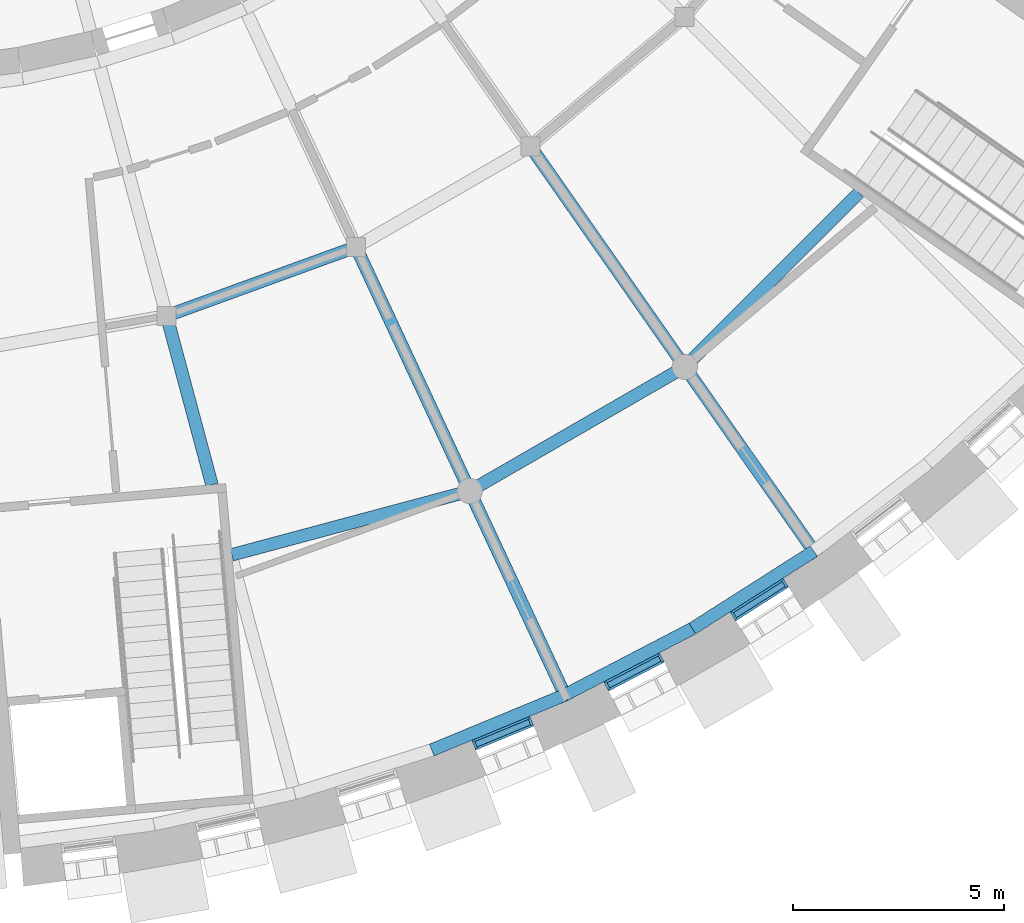
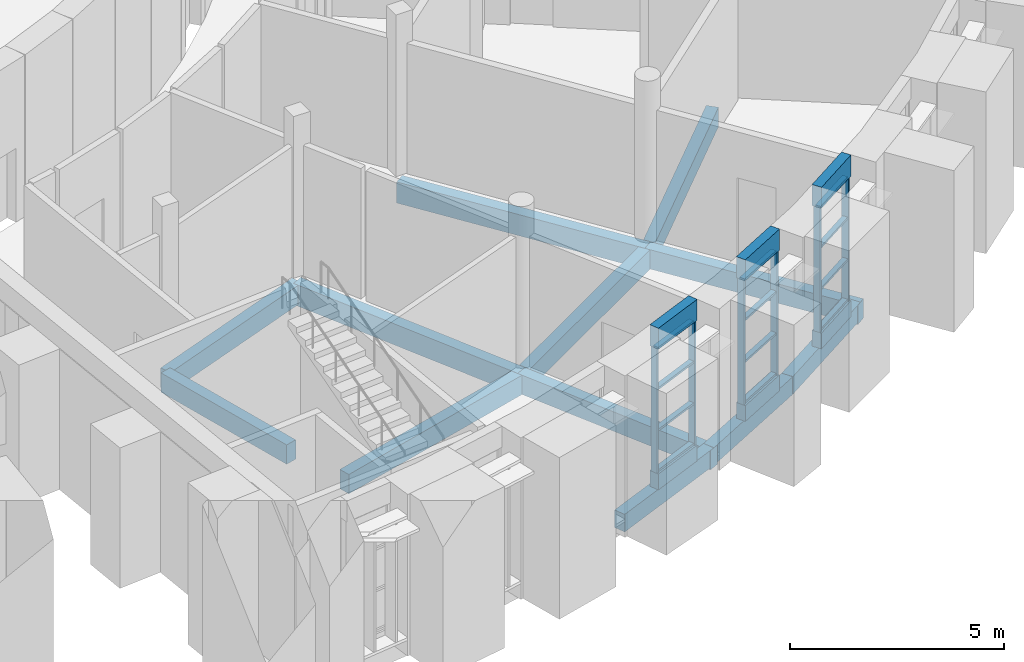
# One storey, part 6 of 66: 18 beams, 18 members, 3 elements without a shape of their own.
"""IFC4 building model written with IfcOpenShell, lengths in metres."""

from ifc_helpers import new_model, si_unit, direction, frame, origin, origin_2d, place, context, subcontext, project, spatial, rectangle, extrude, material, layer, layer_set, material_profile, profile_set, type_object, element, aggregate, save


model = new_model("IFC4")

# Units and contexts
model_context = context("Model", 3, precision=1e-05, world=origin(), true_north=direction((0.0, 1.0)))
body_context = subcontext(model_context, "Body", "Model", "MODEL_VIEW")
ifc_project = project(units=[si_unit("LENGTHUNIT", "METRE"), si_unit("AREAUNIT", "SQUARE_METRE"), si_unit("VOLUMEUNIT", "CUBIC_METRE"), si_unit("PLANEANGLEUNIT", "RADIAN"), si_unit("MASSUNIT", "GRAM", prefix="KILO")], contexts=[model_context])

# Site, building, storey
site_placement = place(None, origin())
site = spatial("IfcSite", under=ifc_project, at=site_placement, CompositionType="ELEMENT")
building_placement = place(site_placement, origin())
building = spatial("IfcBuilding", under=site, at=building_placement, Name="Volute Hill Aquarium", CompositionType="ELEMENT")
storey_placement = place(building_placement, frame((0.0, 0.0, 4.60009765625)))
storey = spatial("IfcBuildingStorey", under=building, at=storey_placement, Name="L02", CompositionType="ELEMENT", Elevation=4.60009765625)

# Beams
ifc_material_1 = material(Name="Concrete C35/45", Category="concrete")
ifc_material_profile_1 = material_profile(ifc_material_1, rectangle(XDim=0.300048828125, YDim=0.550048828125, at=origin_2d()), Name="RC beam 300x550")
ifc_profile_set_1 = profile_set([ifc_material_profile_1], Name="Concrete C35/45")
beam_type_1 = type_object("IfcBeamType", Name="Beam 300x550 C35/45", PredefinedType="BEAM", material=ifc_profile_set_1)
beam_1_placement = place(storey_placement, frame((7.08740234375, -26.4501953125, -0.545166015625), z_axis=(0.258824393831, -0.965924393086, 0.0), x_axis=(0.965924393086, 0.258824393831, 0.0)))
element("IfcBeam", 1, at=beam_1_placement, inside=storey, type_object=beam_type_1, Name="bm/S3/L02/rad1.2", PredefinedType="BEAM", context=body_context, shape_type="SweptSolid", body=[
    extrude(rectangle(XDim=0.300048828125, YDim=0.550048828125, at=origin_2d()), origin(), (0.0, 0.0, 1.0), 4.145751953125),
])
for number, where, z_axis, x_axis, name in (
    (2, (14.2705078125, -30.60302734375, -0.545166015625), (0.422629512047, -0.906302540847, 0.0), (0.906302540847, 0.422629512047, 0.0), "bm/S3/L02/rad2.6"),
    (3, (19.367919921875, -27.66015625, -0.545166015625), (0.573584859356, -0.819146146373, 0.0), (0.819146146373, 0.573584859356, 0.0), "bm/S3/L02/rad3.9"),
):
    element("IfcBeam", number, at=place(storey_placement, frame(where, z_axis=z_axis, x_axis=x_axis)), inside=storey, type_object=beam_type_1, Name=name, PredefinedType="BEAM", context=body_context, shape_type="SweptSolid", body=[
        extrude(rectangle(XDim=0.300048828125, YDim=0.550048828125, at=origin_2d()), origin(), (0.0, 0.0, 1.0), 5.483154296875),
    ])
beam_2_placement = place(storey_placement, frame((7.08740234375, -26.4501953125, -0.545166015625), z_axis=(0.93969033816, 0.342026414722, 0.0), x_axis=(-0.342026414722, 0.93969033816, 0.0)))
element("IfcBeam", 4, at=beam_2_placement, inside=storey, type_object=beam_type_1, Name="bm/S3/L02/ring1.14", PredefinedType="BEAM", context=body_context, shape_type="SweptSolid", body=[
    extrude(rectangle(XDim=0.300048828125, YDim=0.550048828125, at=origin_2d()), origin(), (0.0, 0.0, 1.0), 4.773193359375),
])
beam_3_placement = place(storey_placement, frame((8.631591796875, -32.114013671875, -0.545166015625), z_axis=(0.965923970462, 0.258825971043, 0.0), x_axis=(-0.258825971043, 0.965923970462, 0.0)))
element("IfcBeam", 5, at=beam_3_placement, inside=storey, type_object=beam_type_1, Name="bm/S3/L02/ring2.18", PredefinedType="BEAM", context=body_context, shape_type="SweptSolid", body=[
    extrude(rectangle(XDim=0.300048828125, YDim=0.550048828125, at=origin_2d()), origin(), (0.0, 0.0, 1.0), 5.837890625),
])
beam_4_placement = place(storey_placement, frame((14.2705078125, -30.60302734375, -0.545166015625), z_axis=(0.866034317068, 0.499984561422, 0.0), x_axis=(-0.499984561422, 0.866034317068, 0.0)))
element("IfcBeam", 6, at=beam_4_placement, inside=storey, type_object=beam_type_1, Name="bm/S3/L02/ring2.19", PredefinedType="BEAM", context=body_context, shape_type="SweptSolid", body=[
    extrude(rectangle(XDim=0.300048828125, YDim=0.550048828125, at=origin_2d()), origin(), (0.0, 0.0, 1.0), 5.885986328125),
])
beam_5_placement = place(storey_placement, frame((19.367919921875, -27.66015625, -0.545166015625), z_axis=(0.707085869838, 0.707127691916, 0.0), x_axis=(-0.707127691916, 0.707085869838, 0.0)))
element("IfcBeam", 7, at=beam_5_placement, inside=storey, type_object=beam_type_1, Name="bm/S3/L02/ring2.20", PredefinedType="BEAM", context=body_context, shape_type="SweptSolid", body=[
    extrude(rectangle(XDim=0.300048828125, YDim=0.550048828125, at=origin_2d()), origin(), (0.0, 0.0, 1.0), 5.837646484375),
])
ifc_material_2 = material(Name="Concrete C35/45", Category="concrete")
ifc_material_profile_2 = material_profile(ifc_material_2, rectangle(XDim=0.300048828125, YDim=0.60009765625, at=origin_2d()), Name="RC beam 300x600")
ifc_profile_set_2 = profile_set([ifc_material_profile_2], Name="Concrete C35/45")
beam_type_2 = type_object("IfcBeamType", Name="Beam 300x600 C35/45", PredefinedType="BEAM", material=ifc_profile_set_2)
for number, where, z_axis, x_axis, name in (
    (8, (11.57275390625, -24.817626953125, -0.570068359375), (0.422615353503, -0.906309143164, 0.0), (0.906309143164, 0.422615353503, 0.0), "bm/S3/L02/rad2.5"),
    (9, (15.706298828125, -22.43115234375, -0.570068359375), (0.573600942784, -0.819134884154, 0.0), (0.819134884154, 0.573600942784, 0.0), "bm/S3/L02/rad3.8"),
):
    element("IfcBeam", number, at=place(storey_placement, frame(where, z_axis=z_axis, x_axis=x_axis)), inside=storey, type_object=beam_type_2, Name=name, PredefinedType="BEAM", context=body_context, shape_type="SweptSolid", body=[
        extrude(rectangle(XDim=0.300048828125, YDim=0.60009765625, at=origin_2d()), origin(), (0.0, 0.0, 1.0), 6.383544921875),
    ])

# Curtain wall, members
ifc_material_3 = material(Name="Aluminium", Category="aluminium")
ifc_layer = layer(ifc_material_3, 0.25)
ifc_layer_set = layer_set([ifc_layer], Name="Curtain wall niche S3 module 1489")
curtain_wall_type = type_object("IfcCurtainWallType", Name="Curtain wall niche S3 module 1489", PredefinedType="NOTDEFINED", material=ifc_layer_set)
curtain_wall_1_placement = place(storey_placement, origin())
curtain_wall_1 = element("IfcCurtainWall", 10, at=curtain_wall_1_placement, inside=storey, type_object=curtain_wall_type, Name="Curtain wall CW S3 L02 4", PredefinedType="NOTDEFINED")
ifc_material_4 = material(Name="Aluminium", Category="aluminium")
ifc_material_profile_3 = material_profile(ifc_material_4, rectangle(XDim=0.179931640625, YDim=0.06005859375, at=origin_2d()), Name="Curtain wall mullion S3 60x180")
ifc_profile_set_3 = profile_set([ifc_material_profile_3], Name="Aluminium")
member_type_1 = type_object("IfcMemberType", Name="Curtain wall mullion S3 60x180", PredefinedType="MULLION", material=ifc_profile_set_3)
member_1_placement = place(storey_placement, frame((14.3935546875, -36.6162109375, 0.449951171875), z_axis=(0.0, 0.0, 1.0), x_axis=(-0.382692594649, 0.923875737316, 0.0)))
member_1 = element("IfcMember", 11, at=member_1_placement, type_object=member_type_1, Name="CW mullion 1", PredefinedType="MULLION", context=body_context, shape_type="SweptSolid", body=[
    extrude(rectangle(XDim=0.179931640625, YDim=0.06005859375, at=origin_2d()), origin(), (0.0, 0.0, 1.0), 3.550048828125),
])
member_2_placement = place(storey_placement, frame((15.7138671875, -36.0693359375, 0.449951171875), z_axis=(0.0, 0.0, 1.0), x_axis=(-0.382692594649, 0.923875737316, 0.0)))
member_2 = element("IfcMember", 12, at=member_2_placement, type_object=member_type_1, Name="CW mullion 2", PredefinedType="MULLION", context=body_context, shape_type="SweptSolid", body=[
    extrude(rectangle(XDim=0.179931640625, YDim=0.06005859375, at=origin_2d()), origin(), (0.0, 0.0, 1.0), 3.550048828125),
])

curtain_wall_2_placement = place(storey_placement, origin())
curtain_wall_2 = element("IfcCurtainWall", 13, at=curtain_wall_2_placement, inside=storey, type_object=curtain_wall_type, Name="Curtain wall CW S3 L02 5", PredefinedType="NOTDEFINED")
member_3_placement = place(storey_placement, frame((17.530029296875, -35.222412109375, 0.449951171875), z_axis=(0.0, 0.0, 1.0), x_axis=(-0.461744254001, 0.887013102438, 0.0)))
member_3 = element("IfcMember", 14, at=member_3_placement, type_object=member_type_1, Name="CW mullion 1", PredefinedType="MULLION", context=body_context, shape_type="SweptSolid", body=[
    extrude(rectangle(XDim=0.179931640625, YDim=0.06005859375, at=origin_2d()), origin(), (0.0, 0.0, 1.0), 3.550048828125),
])
member_4_placement = place(storey_placement, frame((18.797607421875, -34.5625, 0.449951171875), z_axis=(0.0, 0.0, 1.0), x_axis=(-0.461744254001, 0.887013102438, 0.0)))
member_4 = element("IfcMember", 15, at=member_4_placement, type_object=member_type_1, Name="CW mullion 2", PredefinedType="MULLION", context=body_context, shape_type="SweptSolid", body=[
    extrude(rectangle(XDim=0.179931640625, YDim=0.06005859375, at=origin_2d()), origin(), (0.0, 0.0, 1.0), 3.550048828125),
])

curtain_wall_3_placement = place(storey_placement, origin())
curtain_wall_3 = element("IfcCurtainWall", 16, at=curtain_wall_3_placement, inside=storey, type_object=curtain_wall_type, Name="Curtain wall CW S3 L02 6", PredefinedType="NOTDEFINED")
member_5_placement = place(storey_placement, frame((20.533203125, -33.560546875, 0.449951171875), z_axis=(0.0, 0.0, 1.0), x_axis=(-0.53730730935, 0.843386539683, 0.0)))
member_5 = element("IfcMember", 17, at=member_5_placement, type_object=member_type_1, Name="CW mullion 1", PredefinedType="MULLION", context=body_context, shape_type="SweptSolid", body=[
    extrude(rectangle(XDim=0.179931640625, YDim=0.06005859375, at=origin_2d()), origin(), (0.0, 0.0, 1.0), 3.550048828125),
])
member_6_placement = place(storey_placement, frame((21.738525390625, -32.792724609375, 0.449951171875), z_axis=(0.0, 0.0, 1.0), x_axis=(-0.53730730935, 0.843386539683, 0.0)))
member_6 = element("IfcMember", 18, at=member_6_placement, type_object=member_type_1, Name="CW mullion 2", PredefinedType="MULLION", context=body_context, shape_type="SweptSolid", body=[
    extrude(rectangle(XDim=0.179931640625, YDim=0.06005859375, at=origin_2d()), origin(), (0.0, 0.0, 1.0), 3.550048828125),
])

# Member
ifc_material_5 = material(Name="Aluminium", Category="aluminium")
ifc_material_profile_4 = material_profile(ifc_material_5, rectangle(XDim=0.139892578125, YDim=0.06005859375, at=origin_2d()), Name="Curtain wall transom S3 60x140")
ifc_profile_set_4 = profile_set([ifc_material_profile_4], Name="Aluminium")
member_type_2 = type_object("IfcMemberType", Name="Curtain wall transom S3 60x140", PredefinedType="USERDEFINED", material=ifc_profile_set_4)
member_7_placement = place(storey_placement, frame((14.421142578125, -36.604736328125, 0.47998046875), z_axis=(0.923908190995, 0.382614237336, 0.0), x_axis=(-0.382614237336, 0.923908190995, 0.0)))
member_7 = element("IfcMember", 19, at=member_7_placement, type_object=member_type_2, Name="CW transom 1.1", ObjectType="TRANSOM", PredefinedType="USERDEFINED", context=body_context, shape_type="SweptSolid", body=[
    extrude(rectangle(XDim=0.139892578125, YDim=0.06005859375, at=origin_2d()), origin(), (0.0, 0.0, 1.0), 1.369384765625),
])

member_8_placement = place(storey_placement, frame((14.421142578125, -36.604736328125, 1.63330078125), z_axis=(0.923908190995, 0.382614237336, 0.0), x_axis=(-0.382614237336, 0.923908190995, 0.0)))
member_8 = element("IfcMember", 20, at=member_8_placement, type_object=member_type_2, Name="CW transom 1.2", ObjectType="TRANSOM", PredefinedType="USERDEFINED", context=body_context, shape_type="SweptSolid", body=[
    extrude(rectangle(XDim=0.139892578125, YDim=0.06005859375, at=origin_2d()), origin(), (0.0, 0.0, 1.0), 1.369384765625),
])

member_9_placement = place(storey_placement, frame((14.421142578125, -36.604736328125, 2.816650390625), z_axis=(0.923908190995, 0.382614237336, 0.0), x_axis=(-0.382614237336, 0.923908190995, 0.0)))
member_9 = element("IfcMember", 21, at=member_9_placement, type_object=member_type_2, Name="CW transom 1.3", ObjectType="TRANSOM", PredefinedType="USERDEFINED", context=body_context, shape_type="SweptSolid", body=[
    extrude(rectangle(XDim=0.139892578125, YDim=0.06005859375, at=origin_2d()), origin(), (0.0, 0.0, 1.0), 1.369384765625),
])

member_10_placement = place(storey_placement, frame((14.421142578125, -36.604736328125, 3.969970703125), z_axis=(0.923908190995, 0.382614237336, 0.0), x_axis=(-0.382614237336, 0.923908190995, 0.0)))
member_10 = element("IfcMember", 22, at=member_10_placement, type_object=member_type_2, Name="CW transom 1.4", ObjectType="TRANSOM", PredefinedType="USERDEFINED", context=body_context, shape_type="SweptSolid", body=[
    extrude(rectangle(XDim=0.139892578125, YDim=0.06005859375, at=origin_2d()), origin(), (0.0, 0.0, 1.0), 1.369384765625),
])

aggregate(curtain_wall_1, [member_1, member_2, member_7, member_8, member_9, member_10])

member_11_placement = place(storey_placement, frame((17.556640625, -35.208740234375, 0.47998046875), z_axis=(0.886959740266, 0.46184674855, 0.0), x_axis=(-0.46184674855, 0.886959740266, 0.0)))
member_11 = element("IfcMember", 23, at=member_11_placement, type_object=member_type_2, Name="CW transom 1.1", ObjectType="TRANSOM", PredefinedType="USERDEFINED", context=body_context, shape_type="SweptSolid", body=[
    extrude(rectangle(XDim=0.139892578125, YDim=0.06005859375, at=origin_2d()), origin(), (0.0, 0.0, 1.0), 1.369140625),
])

member_12_placement = place(storey_placement, frame((17.556640625, -35.208740234375, 1.63330078125), z_axis=(0.886959740266, 0.46184674855, 0.0), x_axis=(-0.46184674855, 0.886959740266, 0.0)))
member_12 = element("IfcMember", 24, at=member_12_placement, type_object=member_type_2, Name="CW transom 1.2", ObjectType="TRANSOM", PredefinedType="USERDEFINED", context=body_context, shape_type="SweptSolid", body=[
    extrude(rectangle(XDim=0.139892578125, YDim=0.06005859375, at=origin_2d()), origin(), (0.0, 0.0, 1.0), 1.369140625),
])

member_13_placement = place(storey_placement, frame((17.556640625, -35.208740234375, 2.816650390625), z_axis=(0.886959740266, 0.46184674855, 0.0), x_axis=(-0.46184674855, 0.886959740266, 0.0)))
member_13 = element("IfcMember", 25, at=member_13_placement, type_object=member_type_2, Name="CW transom 1.3", ObjectType="TRANSOM", PredefinedType="USERDEFINED", context=body_context, shape_type="SweptSolid", body=[
    extrude(rectangle(XDim=0.139892578125, YDim=0.06005859375, at=origin_2d()), origin(), (0.0, 0.0, 1.0), 1.369140625),
])

member_14_placement = place(storey_placement, frame((17.556640625, -35.208740234375, 3.969970703125), z_axis=(0.886959740266, 0.46184674855, 0.0), x_axis=(-0.46184674855, 0.886959740266, 0.0)))
member_14 = element("IfcMember", 26, at=member_14_placement, type_object=member_type_2, Name="CW transom 1.4", ObjectType="TRANSOM", PredefinedType="USERDEFINED", context=body_context, shape_type="SweptSolid", body=[
    extrude(rectangle(XDim=0.139892578125, YDim=0.06005859375, at=origin_2d()), origin(), (0.0, 0.0, 1.0), 1.369140625),
])

aggregate(curtain_wall_2, [member_3, member_4, member_11, member_12, member_13, member_14])

member_15_placement = place(storey_placement, frame((20.558349609375, -33.54443359375, 0.47998046875), z_axis=(0.843419106312, 0.537256187594, 0.0), x_axis=(-0.537256187594, 0.843419106312, 0.0)))
member_15 = element("IfcMember", 27, at=member_15_placement, type_object=member_type_2, Name="CW transom 1.1", ObjectType="TRANSOM", PredefinedType="USERDEFINED", context=body_context, shape_type="SweptSolid", body=[
    extrude(rectangle(XDim=0.139892578125, YDim=0.06005859375, at=origin_2d()), origin(), (0.0, 0.0, 1.0), 1.369140625),
])

member_16_placement = place(storey_placement, frame((20.558349609375, -33.54443359375, 1.63330078125), z_axis=(0.843419106312, 0.537256187594, 0.0), x_axis=(-0.537256187594, 0.843419106312, 0.0)))
member_16 = element("IfcMember", 28, at=member_16_placement, type_object=member_type_2, Name="CW transom 1.2", ObjectType="TRANSOM", PredefinedType="USERDEFINED", context=body_context, shape_type="SweptSolid", body=[
    extrude(rectangle(XDim=0.139892578125, YDim=0.06005859375, at=origin_2d()), origin(), (0.0, 0.0, 1.0), 1.369140625),
])

member_17_placement = place(storey_placement, frame((20.558349609375, -33.54443359375, 2.816650390625), z_axis=(0.843419106312, 0.537256187594, 0.0), x_axis=(-0.537256187594, 0.843419106312, 0.0)))
member_17 = element("IfcMember", 29, at=member_17_placement, type_object=member_type_2, Name="CW transom 1.3", ObjectType="TRANSOM", PredefinedType="USERDEFINED", context=body_context, shape_type="SweptSolid", body=[
    extrude(rectangle(XDim=0.139892578125, YDim=0.06005859375, at=origin_2d()), origin(), (0.0, 0.0, 1.0), 1.369140625),
])

member_18_placement = place(storey_placement, frame((20.558349609375, -33.54443359375, 3.969970703125), z_axis=(0.843419106312, 0.537256187594, 0.0), x_axis=(-0.537256187594, 0.843419106312, 0.0)))
member_18 = element("IfcMember", 30, at=member_18_placement, type_object=member_type_2, Name="CW transom 1.4", ObjectType="TRANSOM", PredefinedType="USERDEFINED", context=body_context, shape_type="SweptSolid", body=[
    extrude(rectangle(XDim=0.139892578125, YDim=0.06005859375, at=origin_2d()), origin(), (0.0, 0.0, 1.0), 1.369140625),
])

aggregate(curtain_wall_3, [member_5, member_6, member_15, member_16, member_17, member_18])

# Beams
ifc_material_6 = material(Name="Concrete C35/45", Category="concrete")
ifc_material_profile_5 = material_profile(ifc_material_6, rectangle(XDim=0.300048828125, YDim=0.5, at=origin_2d()), Name="RC edge beam 300x500")
ifc_profile_set_5 = profile_set([ifc_material_profile_5], Name="Concrete C35/45")
beam_type_3 = type_object("IfcBeamType", Name="Edge beam 300x500 C35/45", PredefinedType="BEAM", material=ifc_profile_set_5)
beam_6_placement = place(storey_placement, frame((13.372802734375, -36.74169921875, -0.52001953125), z_axis=(0.923906931346, 0.382617279028, 0.0), x_axis=(-0.382617279028, 0.923906931346, 0.0)))
element("IfcBeam", 31, at=beam_6_placement, inside=storey, type_object=beam_type_3, Name="bm/S3/L02/edgeO.35", PredefinedType="BEAM", context=body_context, shape_type="SweptSolid", body=[
    extrude(rectangle(XDim=0.300048828125, YDim=0.5, at=origin_2d()), origin(), (0.0, 0.0, 1.0), 3.4111328125),
])
beam_7_placement = place(storey_placement, frame((16.5244140625, -35.4365234375, -0.52001953125), z_axis=(0.887006930768, 0.461756109618, 0.0), x_axis=(-0.461756109618, 0.887006930768, 0.0)))
element("IfcBeam", 32, at=beam_7_placement, inside=storey, type_object=beam_type_3, Name="bm/S3/L02/edgeO.36", PredefinedType="BEAM", context=body_context, shape_type="SweptSolid", body=[
    extrude(rectangle(XDim=0.300048828125, YDim=0.5, at=origin_2d()), origin(), (0.0, 0.0, 1.0), 3.410888671875),
])
beam_8_placement = place(storey_placement, frame((19.5498046875, -33.861572265625, -0.52001953125), z_axis=(0.843399098385, 0.537287596026, 0.0), x_axis=(-0.537287596026, 0.843399098385, 0.0)))
element("IfcBeam", 33, at=beam_8_placement, inside=storey, type_object=beam_type_3, Name="bm/S3/L02/edgeO.37", PredefinedType="BEAM", context=body_context, shape_type="SweptSolid", body=[
    extrude(rectangle(XDim=0.300048828125, YDim=0.5, at=origin_2d()), origin(), (0.0, 0.0, 1.0), 3.4111328125),
])
ifc_material_7 = material(Name="Concrete C35/45", Category="concrete")
ifc_material_profile_6 = material_profile(ifc_material_7, rectangle(XDim=0.25, YDim=0.60009765625, at=origin_2d()), Name="RC beam 250x600")
ifc_profile_set_6 = profile_set([ifc_material_profile_6], Name="Concrete C35/45")
beam_type_4 = type_object("IfcBeamType", Name="Niche head beam RC 250x600 C35/45", PredefinedType="BEAM", material=ifc_profile_set_6)
beam_9_placement = place(storey_placement, frame((14.36572265625, -36.627685546875, 4.2998046875), z_axis=(0.923908951424, 0.382612401104, 0.0), x_axis=(-0.382612401104, 0.923908951424, 0.0)))
element("IfcBeam", 34, at=beam_9_placement, inside=storey, type_object=beam_type_4, Name="Niche head beam OWB S3 L02 4", PredefinedType="BEAM", context=body_context, shape_type="SweptSolid", body=[
    extrude(rectangle(XDim=0.25, YDim=0.60009765625, at=origin_2d()), origin(), (0.0, 0.0, 1.0), 1.4892578125),
])
beam_10_placement = place(storey_placement, frame((17.50341796875, -35.236328125, 4.2998046875), z_axis=(0.88702881268, 0.461714073291, 0.0), x_axis=(-0.461714073291, 0.88702881268, 0.0)))
element("IfcBeam", 35, at=beam_10_placement, inside=storey, type_object=beam_type_4, Name="Niche head beam OWB S3 L02 5", PredefinedType="BEAM", context=body_context, shape_type="SweptSolid", body=[
    extrude(rectangle(XDim=0.25, YDim=0.60009765625, at=origin_2d()), origin(), (0.0, 0.0, 1.0), 1.489013671875),
])
beam_11_placement = place(storey_placement, frame((20.5078125, -33.57666015625, 4.2998046875), z_axis=(0.843445411017, 0.537214890555, 0.0), x_axis=(-0.537214890555, 0.843445411017, 0.0)))
element("IfcBeam", 36, at=beam_11_placement, inside=storey, type_object=beam_type_4, Name="Niche head beam OWB S3 L02 6", PredefinedType="BEAM", context=body_context, shape_type="SweptSolid", body=[
    extrude(rectangle(XDim=0.25, YDim=0.60009765625, at=origin_2d()), origin(), (0.0, 0.0, 1.0), 1.4892578125),
])
ifc_material_8 = material(Name="Concrete C35/45", Category="concrete")
ifc_material_profile_7 = material_profile(ifc_material_8, rectangle(XDim=0.25, YDim=0.449951171875, at=origin_2d()), Name="RC beam 250x450")
ifc_profile_set_7 = profile_set([ifc_material_profile_7], Name="Concrete C35/45")
beam_type_5 = type_object("IfcBeamType", Name="Niche sill beam RC 250x450 C35/45", PredefinedType="BEAM", material=ifc_profile_set_7)
beam_12_placement = place(storey_placement, frame((14.36572265625, -36.627685546875, 0.224853515625), z_axis=(0.923908951424, 0.382612401104, 0.0), x_axis=(-0.382612401104, 0.923908951424, 0.0)))
element("IfcBeam", 37, at=beam_12_placement, inside=storey, type_object=beam_type_5, Name="Niche sill beam OWB S3 L02 4", PredefinedType="BEAM", context=body_context, shape_type="SweptSolid", body=[
    extrude(rectangle(XDim=0.25, YDim=0.449951171875, at=origin_2d()), origin(), (0.0, 0.0, 1.0), 1.4892578125),
])
beam_13_placement = place(storey_placement, frame((17.50341796875, -35.236328125, 0.224853515625), z_axis=(0.88702881268, 0.461714073291, 0.0), x_axis=(-0.461714073291, 0.88702881268, 0.0)))
element("IfcBeam", 38, at=beam_13_placement, inside=storey, type_object=beam_type_5, Name="Niche sill beam OWB S3 L02 5", PredefinedType="BEAM", context=body_context, shape_type="SweptSolid", body=[
    extrude(rectangle(XDim=0.25, YDim=0.449951171875, at=origin_2d()), origin(), (0.0, 0.0, 1.0), 1.489013671875),
])
beam_14_placement = place(storey_placement, frame((20.5078125, -33.57666015625, 0.224853515625), z_axis=(0.843445411017, 0.537214890555, 0.0), x_axis=(-0.537214890555, 0.843445411017, 0.0)))
element("IfcBeam", 39, at=beam_14_placement, inside=storey, type_object=beam_type_5, Name="Niche sill beam OWB S3 L02 6", PredefinedType="BEAM", context=body_context, shape_type="SweptSolid", body=[
    extrude(rectangle(XDim=0.25, YDim=0.449951171875, at=origin_2d()), origin(), (0.0, 0.0, 1.0), 1.4892578125),
])

save(model, "model.ifc")
